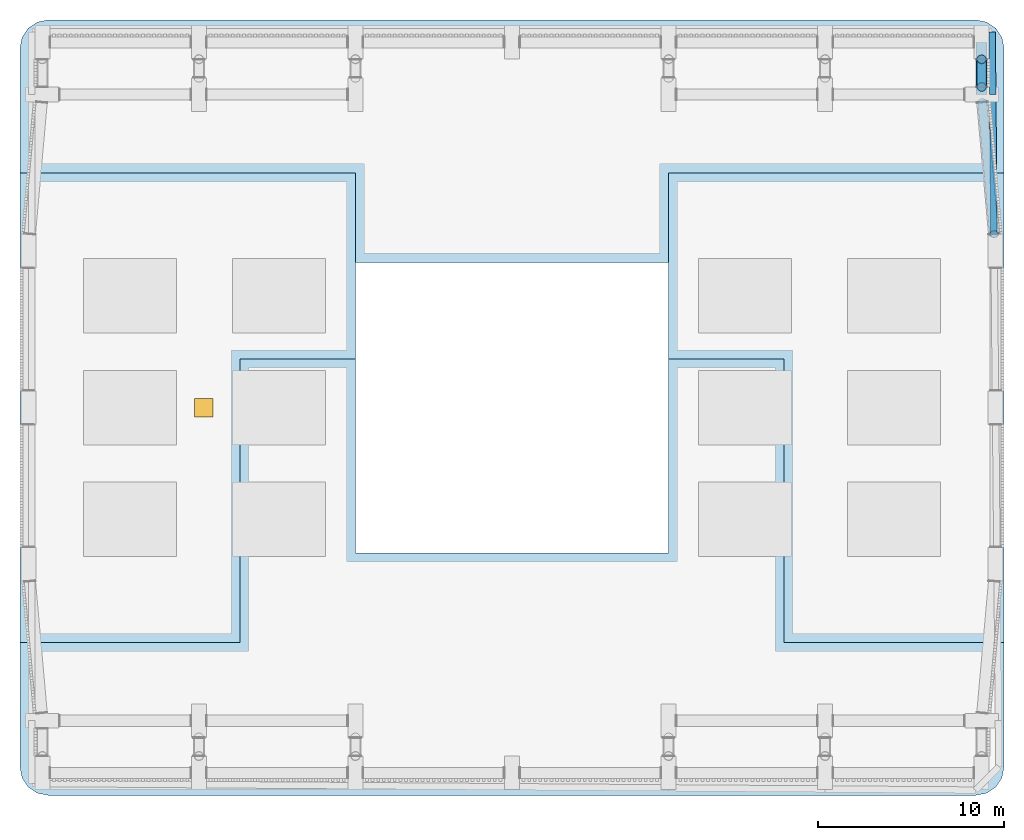
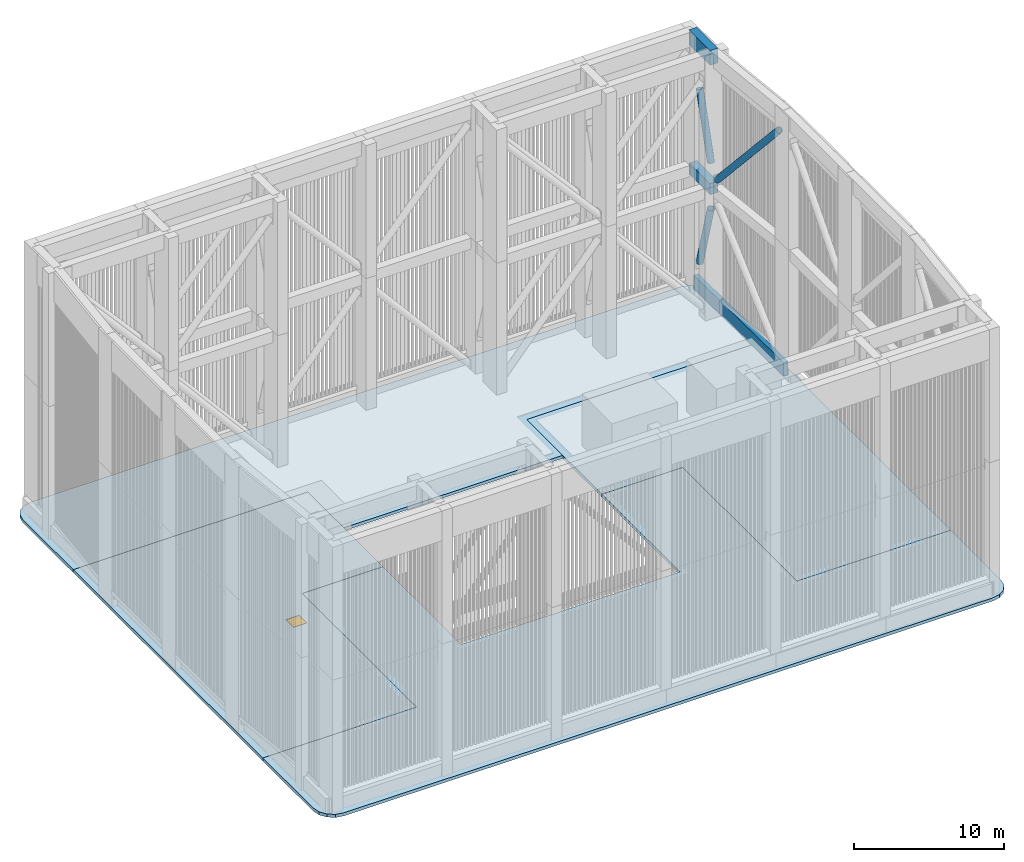
"""IFC4 building model written with IfcOpenShell, lengths in metres."""

from ifc_helpers import new_model, si_unit, direction, frame, origin, origin_2d, place, context, subcontext, project, spatial, polyline, rectangle, hollow_circle, outline, extrude, material, layer, layer_set, material_profile, profile_set, type_object, element, fill, save


model = new_model("IFC4")

# Units and contexts
model_context = context("Model", 3, precision=1e-05, world=origin(), true_north=direction((0.0, 1.0)))
body_context = subcontext(model_context, "Body", "Model", "MODEL_VIEW")
ifc_project = project(units=[si_unit("LENGTHUNIT", "METRE"), si_unit("AREAUNIT", "SQUARE_METRE"), si_unit("VOLUMEUNIT", "CUBIC_METRE"), si_unit("PLANEANGLEUNIT", "RADIAN"), si_unit("MASSUNIT", "GRAM", prefix="KILO")], contexts=[model_context])

# Site, building, storey
site_placement = place(None, origin())
site = spatial("IfcSite", under=ifc_project, at=site_placement, CompositionType="ELEMENT")
building_placement = place(site_placement, origin())
building = spatial("IfcBuilding", under=site, at=building_placement, Name="Claustro Exchange Tower", CompositionType="ELEMENT")
storey_1_placement = place(building_placement, frame((0.0, 0.0, 287.10009765625)))
storey_1 = spatial("IfcBuildingStorey", under=building, at=storey_1_placement, Name="ROOF", CompositionType="ELEMENT", Elevation=287.10009765625)

# Beam
ifc_material_1 = material(Name="Concrete HA-50 (C50/60)", Category="concrete")
ifc_material_profile_1 = material_profile(ifc_material_1, rectangle(XDim=0.60009765625, YDim=0.89990234375, at=origin_2d()), Name="RC 600x900")
ifc_profile_set_1 = profile_set([ifc_material_profile_1], Name="Concrete HA-50 (C50/60)")
beam_type_1 = type_object("IfcBeamType", Name="CF2 RC 600x900 crown frame ring beam", PredefinedType="BEAM", material=ifc_profile_set_1)
beam_1_placement = place(storey_1_placement, frame((50.39990234375, 42.0, 10.349853515625), z_axis=(0.0, 1.0, 0.0), x_axis=(-1.0, 0.0, 0.0)))
element("IfcBeam", 1, at=beam_1_placement, inside=storey_1, type_object=beam_type_1, Name="CROWN FRAME ring beam CF2", PredefinedType="BEAM", context=body_context, shape_type="SweptSolid", body=[
    extrude(rectangle(XDim=0.60009765625, YDim=0.89990234375, at=origin_2d()), origin(), (0.0, 0.0, 1.0), 2.800048828125),
])

# Members
ifc_material_2 = material(Name="Steel S355", Category="steel")
ifc_material_profile_2 = material_profile(ifc_material_2, hollow_circle(Radius=0.25390625, WallThickness=0.02490234375, at=origin_2d()), Name="CHS 508x25")
ifc_profile_set_2 = profile_set([ifc_material_profile_2], Name="Steel S355")
member_type = type_object("IfcMemberType", Name="CF3 CHS 508x25 crown frame brace", PredefinedType="BRACE", material=ifc_profile_set_2)
member_1_placement = place(storey_1_placement, frame((50.39990234375, 43.89501953125, 3.19970703125), z_axis=(0.0, -0.272146414505, 0.962255854268), x_axis=(1.0, 0.0, 0.0)))
element("IfcMember", 2, at=member_1_placement, inside=storey_1, type_object=member_type, Name="CROWN FRAME brace CF3 lower", PredefinedType="BRACE", context=body_context, shape_type="SweptSolid", body=[
    extrude(hollow_circle(Radius=0.25390625, WallThickness=0.02490234375, at=origin_2d()), origin(), (0.0, 0.0, 1.0), 5.474853515625),
])
member_2_placement = place(storey_1_placement, frame((50.436279296875, 41.594970703125, 11.2626953125), z_axis=(0.058672059315, -0.657367004079, 0.751283043469), x_axis=(0.996040580118, 0.088899734295, 0.0)))
element("IfcMember", 3, at=member_2_placement, inside=storey_1, type_object=member_type, Name="CROWN FRAME brace CF3 upper", PredefinedType="BRACE", context=body_context, shape_type="SweptSolid", body=[
    extrude(hollow_circle(Radius=0.25390625, WallThickness=0.02490234375, at=origin_2d()), origin(), (0.0, 0.0, 1.0), 10.78564453125),
])
member_3_placement = place(storey_1_placement, frame((50.39990234375, 42.405029296875, 12.1884765625), z_axis=(0.0, 0.279994714826, 0.960001541493), x_axis=(-1.0, 0.0, 0.0)))
element("IfcMember", 4, at=member_3_placement, inside=storey_1, type_object=member_type, Name="CROWN FRAME brace CF3 upper", PredefinedType="BRACE", context=body_context, shape_type="SweptSolid", body=[
    extrude(hollow_circle(Radius=0.25390625, WallThickness=0.02490234375, at=origin_2d()), origin(), (0.0, 0.0, 1.0), 5.321533203125),
])

# Beams
ifc_material_3 = material(Name="Concrete HA-50 (C50/60)", Category="concrete")
ifc_material_profile_3 = material_profile(ifc_material_3, rectangle(XDim=0.60009765625, YDim=1.199951171875, at=origin_2d()), Name="RC 600x1200")
ifc_profile_set_3 = profile_set([ifc_material_profile_3], Name="Concrete HA-50 (C50/60)")
beam_type_2 = type_object("IfcBeamType", Name="CF5 RC 600x1200 crown frame cap ring", PredefinedType="BEAM", material=ifc_profile_set_3)
beam_2_placement = place(storey_1_placement, frame((50.39990234375, 42.0, 21.0), z_axis=(0.0, 1.0, 0.0), x_axis=(-1.0, 0.0, 0.0)))
element("IfcBeam", 5, at=beam_2_placement, inside=storey_1, type_object=beam_type_2, Name="CROWN FRAME cap ring CF5", PredefinedType="BEAM", context=body_context, shape_type="SweptSolid", body=[
    extrude(rectangle(XDim=0.60009765625, YDim=1.199951171875, at=origin_2d()), origin(), (0.0, 0.0, 1.0), 2.800048828125),
])
ifc_material_4 = material(Name="Concrete HA-50 (C50/60)", Category="concrete")
ifc_material_profile_4 = material_profile(ifc_material_4, rectangle(XDim=0.35009765625, YDim=1.10009765625, at=origin_2d()), Name="RC 350x1100")
ifc_profile_set_4 = profile_set([ifc_material_profile_4], Name="Concrete HA-50 (C50/60)")
beam_type_3 = type_object("IfcBeamType", Name="CF6 RC 350x1100 crown frame base ring", PredefinedType="BEAM", material=ifc_profile_set_4)
beam_3_placement = place(storey_1_placement, frame((50.96240234375, 45.3623046875, 0.5498046875), z_axis=(0.009236641381, -0.999957341318, 0.0), x_axis=(0.999957341318, 0.009236641381, 0.0)))
element("IfcBeam", 6, at=beam_3_placement, inside=storey_1, type_object=beam_type_3, Name="CROWN FRAME base ring CF6", PredefinedType="BEAM", context=body_context, shape_type="SweptSolid", body=[
    extrude(rectangle(XDim=0.35009765625, YDim=1.10009765625, at=origin_2d()), origin(), (0.0, 0.0, 1.0), 3.35693359375),
])
beam_4_placement = place(storey_1_placement, frame((50.993408203125, 42.005615234375, 0.5498046875), z_axis=(0.009176856324, -0.999957891767, 0.0), x_axis=(0.999957891767, 0.009176856324, 0.0)))
element("IfcBeam", 7, at=beam_4_placement, inside=storey_1, type_object=beam_type_3, Name="CROWN FRAME base ring CF6", PredefinedType="BEAM", context=body_context, shape_type="SweptSolid", body=[
    extrude(rectangle(XDim=0.35009765625, YDim=1.10009765625, at=origin_2d()), origin(), (0.0, 0.0, 1.0), 8.40673828125),
])

# Slabs
ifc_material_5 = material(Name="Concrete HA-50 (C50/60)", Category="concrete")
ifc_layer = layer(ifc_material_5, 0.25)
ifc_layer_set = layer_set([ifc_layer], Name="Concrete HA-50 (C50/60)")
slab_type = type_object("IfcSlabType", Name="S5 250 roof slab", PredefinedType="ROOF", material=ifc_layer_set)
slab_1_placement = place(storey_1_placement, frame((0.0, 0.0, -0.25)))
element("IfcSlab", 8, at=slab_1_placement, inside=storey_1, type_object=slab_type, Name="Main roof slab S5 over L64 1", PredefinedType="ROOF", context=body_context, shape_type="SweptSolid", body=[
    extrude(outline(polyline([(-0.27392578125, 4.51416015625), (0.300048828125, 4.39990234375), (50.10009765625, 4.39990234375), (50.674072265625, 4.51416015625), (51.16064453125, 4.83935546875), (51.48583984375, 5.325927734375), (51.60009765625, 5.89990234375), (51.60009765625, 12.60009765625), (39.800048828125, 12.60009765625), (39.800048828125, 27.800048828125), (33.60009765625, 27.800048828125), (33.60009765625, 17.39990234375), (16.800048828125, 17.39990234375), (16.800048828125, 27.800048828125), (10.60009765625, 27.800048828125), (10.60009765625, 12.60009765625), (-1.199951171875, 12.60009765625), (-1.199951171875, 5.89990234375), (-1.085693359375, 5.325927734375), (-0.7607421875, 4.83935546875), (-0.27392578125, 4.51416015625)])), origin(), (0.0, 0.0, 1.0), 0.25),
])
slab_2_placement = place(storey_1_placement, frame((0.0, 0.0, -0.25)))
element("IfcSlab", 9, at=slab_2_placement, inside=storey_1, type_object=slab_type, Name="Main roof slab S5 over L64 2", PredefinedType="ROOF", context=body_context, shape_type="SweptSolid", body=[
    extrude(outline(polyline([(16.800048828125, 37.800048828125), (16.800048828125, 33.0), (33.60009765625, 33.0), (33.60009765625, 37.800048828125), (51.60009765625, 37.800048828125), (51.60009765625, 44.5), (51.48583984375, 45.073974609375), (51.16064453125, 45.560791015625), (50.674072265625, 45.8857421875), (50.10009765625, 46.0), (0.300048828125, 46.0), (-0.27392578125, 45.8857421875), (-0.7607421875, 45.560791015625), (-1.085693359375, 45.073974609375), (-1.199951171875, 44.5), (-1.199951171875, 37.800048828125), (16.800048828125, 37.800048828125)])), origin(), (0.0, 0.0, 1.0), 0.25),
])

# Slab, opening
slab_3_placement = place(storey_1_placement, frame((0.0, 0.0, -0.25)))
slab_3 = element("IfcSlab", 10, at=slab_3_placement, inside=storey_1, type_object=slab_type, Name="Core roof slab S5 W core", PredefinedType="ROOF", context=body_context, shape_type="SweptSolid", body=[
    extrude(outline(polyline([(-1.199951171875, 12.60009765625), (10.60009765625, 12.60009765625), (10.60009765625, 27.800048828125), (16.800048828125, 27.800048828125), (16.800048828125, 37.800048828125), (-1.199951171875, 37.800048828125), (-1.199951171875, 12.60009765625)])), origin(), (0.0, 0.0, 1.0), 0.25),
])
opening_placement = place(slab_3_placement, frame((8.64990234375, 25.199951171875, 0.0)))
opening = element("IfcOpeningElement", 11, at=opening_placement, cuts=slab_3, Name="Opening RH1", PredefinedType="OPENING", context=body_context, shape_type="SweptSolid", body=[
    extrude(rectangle(XDim=1.0, YDim=1.0, at=origin_2d()), origin(), (0.0, 0.0, 1.0), 0.25),
])

# Storey
storey_2_placement = place(building_placement, frame((0.0, 0.0, 281.699951171875)))
storey_2 = spatial("IfcBuildingStorey", under=building, at=storey_2_placement, Name="L64", CompositionType="ELEMENT", Elevation=281.699951171875)

# Door
ifc_material_6 = material(Name="Galvanised steel hatch", Category="steel")
door_type = type_object("IfcDoorType", Name="RH1 1000 x 1000 roof access hatch", OperationType="SINGLE_SWING_LEFT", PredefinedType="TRAPDOOR", material=ifc_material_6)
door_placement = place(opening_placement, frame((0.0, 0.0, 0.199951171875)))
door = element("IfcDoor", 12, at=door_placement, inside=storey_2, type_object=door_type, Name="Roof access hatch RH1 over L64", OperationType="SINGLE_SWING_LEFT", OverallHeight=1.0, OverallWidth=1.0, PredefinedType="TRAPDOOR", context=body_context, shape_type="SweptSolid", body=[
    extrude(rectangle(XDim=1.0, YDim=1.0, at=origin_2d()), origin(), (0.0, 0.0, 1.0), 0.050048828125),
])

fill(opening, door)

# Slab
slab_4_placement = place(storey_1_placement, frame((0.0, 0.0, -0.25)))
element("IfcSlab", 13, at=slab_4_placement, inside=storey_1, type_object=slab_type, Name="Core roof slab S5 E core", PredefinedType="ROOF", context=body_context, shape_type="SweptSolid", body=[
    extrude(outline(polyline([(33.60009765625, 37.800048828125), (33.60009765625, 27.800048828125), (39.800048828125, 27.800048828125), (39.800048828125, 12.60009765625), (51.60009765625, 12.60009765625), (51.60009765625, 37.800048828125), (33.60009765625, 37.800048828125)])), origin(), (0.0, 0.0, 1.0), 0.25),
])

save(model, "model.ifc")
